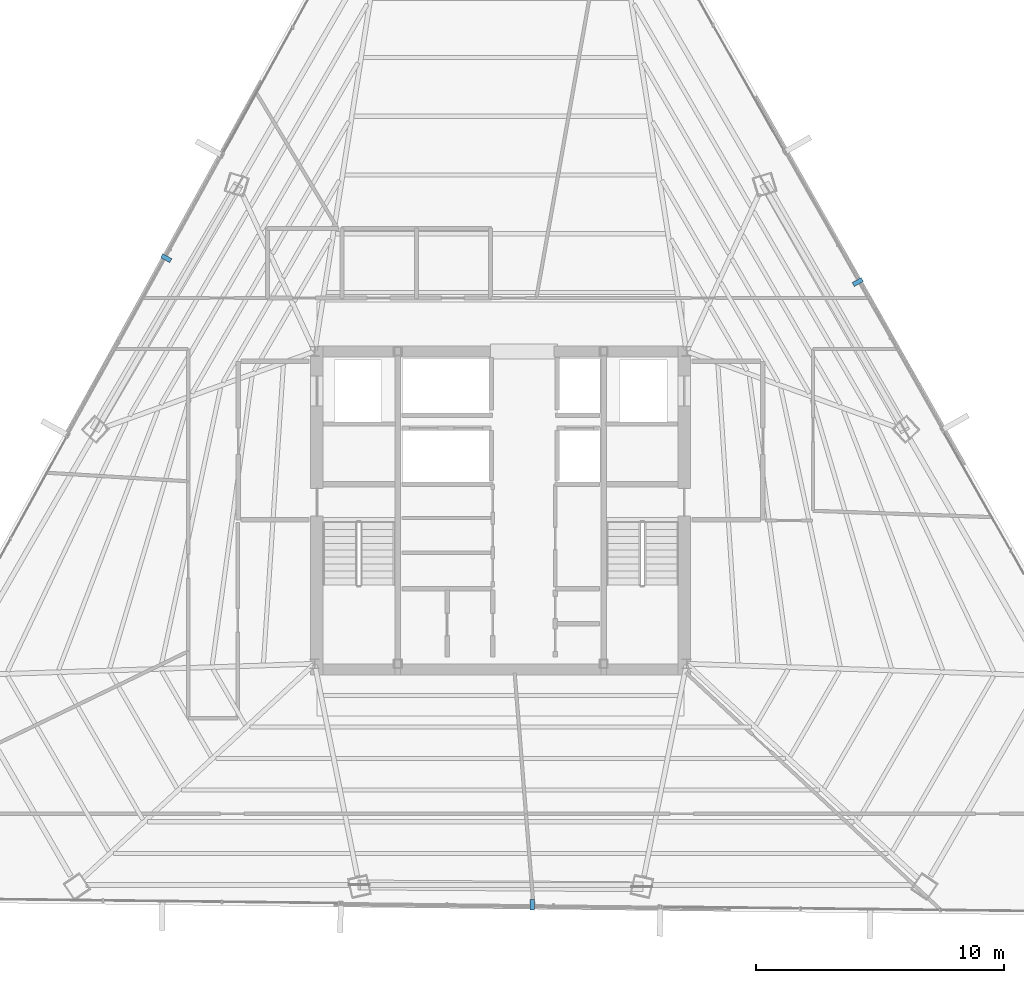
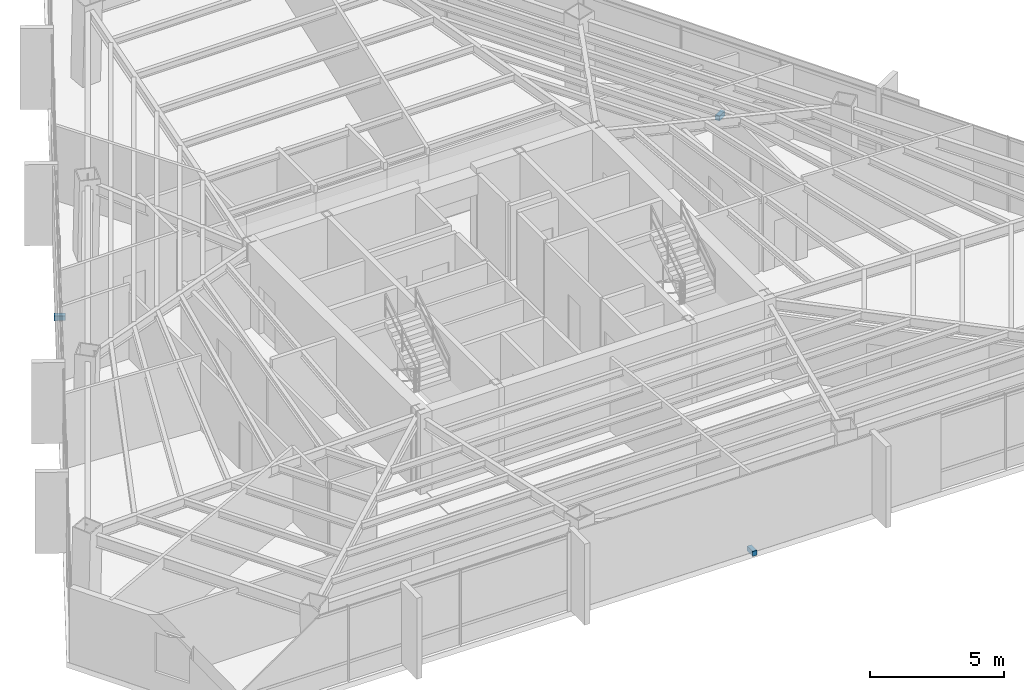
# One storey, part 38 of 41: 3 discrete accessories.
"""IFC4 building model written with IfcOpenShell, lengths in metres."""

from ifc_helpers import new_model, si_unit, direction, frame, origin, origin_2d, place, context, subcontext, project, spatial, rectangle, extrude, source, transform, mapped, material, type_object, type_shapes, element, save


model = new_model("IFC4")

# Units and contexts
model_context = context("Model", 3, precision=1e-05, world=origin(), true_north=direction((0.0, 1.0)))
body_context = subcontext(model_context, "Body", "Model", "MODEL_VIEW")
ifc_project = project(units=[si_unit("LENGTHUNIT", "METRE"), si_unit("AREAUNIT", "SQUARE_METRE"), si_unit("VOLUMEUNIT", "CUBIC_METRE"), si_unit("PLANEANGLEUNIT", "RADIAN"), si_unit("MASSUNIT", "GRAM", prefix="KILO")], contexts=[model_context])

# Site, building, storey
site_placement = place(None, origin())
site = spatial("IfcSite", under=ifc_project, at=site_placement, CompositionType="ELEMENT")
building_placement = place(site_placement, origin())
building = spatial("IfcBuilding", under=site, at=building_placement, Name="Caelisora Broadcast Tower", CompositionType="ELEMENT")
storey_placement = place(building_placement, frame((0.0, 0.0, 209.60009765625)))
storey = spatial("IfcBuildingStorey", under=building, at=storey_placement, Name="L55", CompositionType="ELEMENT", Elevation=209.60009765625)

# Discrete accessories
ifc_material = material(Name="Steel Grade 350 (AS/NZS 3679.1)", Category="steel")
discrete_accessory_type = type_object("IfcDiscreteAccessoryType", Name="BRK-1", PredefinedType="BRACKET", material=ifc_material)
shared_shape = source(origin(), body_context, "Body", "SweptSolid", [
    extrude(rectangle(XDim=0.179931640625, YDim=0.419921875, at=origin_2d()), origin(), (0.0, 0.0, 1.0), 0.219970703125),
])
type_shapes(discrete_accessory_type, [shared_shape])
for number, where, z_axis, x_axis, name in (
    (1, (24.510986328125, 33.759521484375, -0.16015625), (0.0, 0.0, 1.0), (-0.482976759048, -0.875633171036, 0.0), "L55 solar screen outrigger bracket #1"),
    (2, (39.281005859375, 7.68359375, -0.16015625), (0.0, 0.0, 1.0), (0.99993565026, -0.011344396795, 0.0), "L55 solar screen outrigger bracket #2"),
    (3, (52.405517578125, 32.79736328125, -0.16015625), (0.0, 0.0, 1.0), (-0.493031062956, 0.87001170737, 0.0), "L55 solar screen outrigger bracket #3"),
):
    element("IfcDiscreteAccessory", number, at=place(storey_placement, frame(where, z_axis=z_axis, x_axis=x_axis)), inside=storey, type_object=discrete_accessory_type, Name=name, PredefinedType="BRACKET", context=body_context, shape_type="MappedRepresentation", body=[
        mapped(shared_shape, transform((0.0, 0.0, 0.0), scale=1.0)),
    ])

save(model, "model.ifc")
